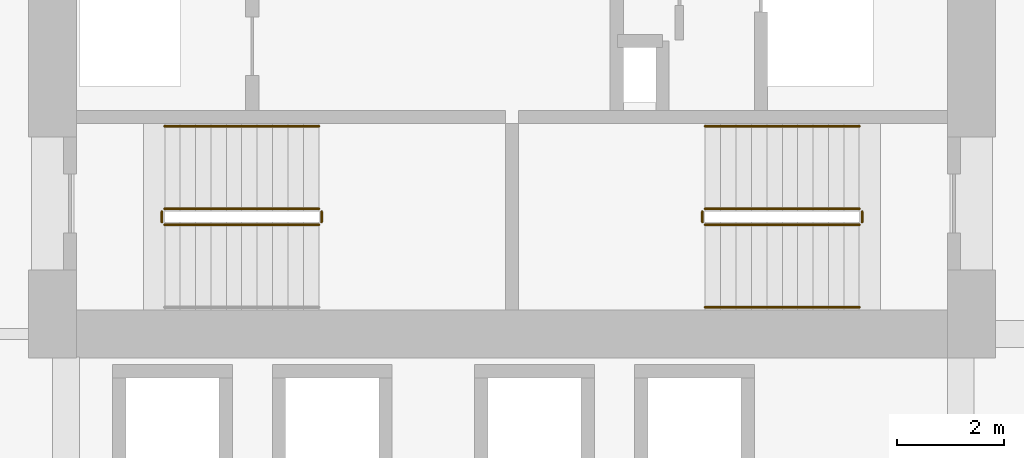
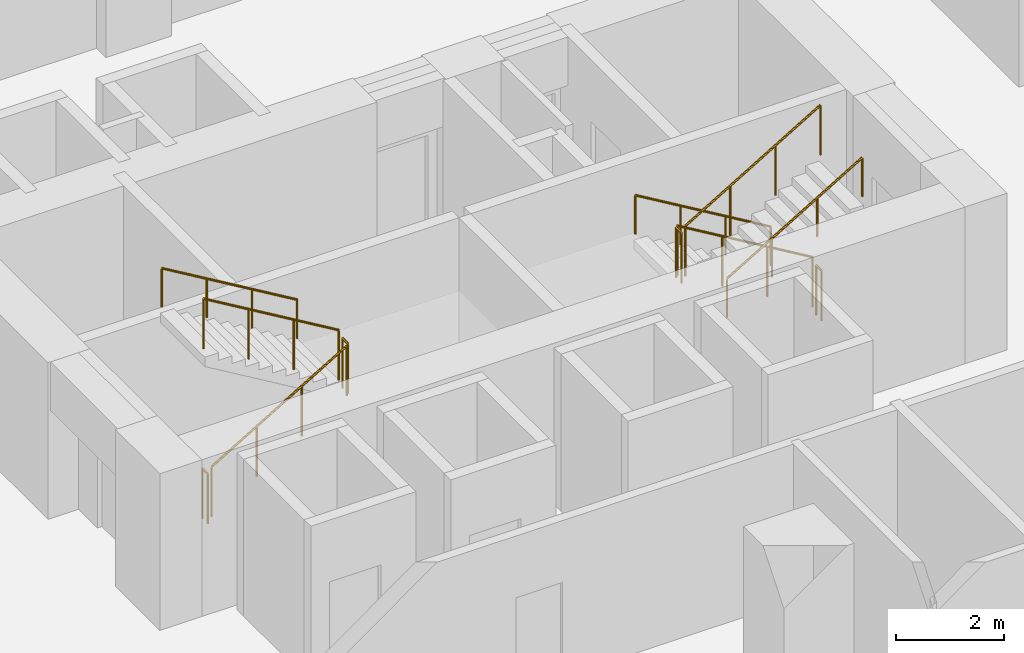
# One storey, part 23 of 27: 11 railings.
"""IFC4 building model written with IfcOpenShell, lengths in metres."""

from ifc_helpers import new_model, si_unit, direction, frame, origin, origin_2d, place, context, subcontext, project, spatial, circle, extrude, material, type_object, element, save


model = new_model("IFC4")

# Units and contexts
model_context = context("Model", 3, precision=1e-05, world=origin(), true_north=direction((0.0, 1.0)))
body_context = subcontext(model_context, "Body", "Model", "MODEL_VIEW")
ifc_project = project(units=[si_unit("LENGTHUNIT", "METRE"), si_unit("AREAUNIT", "SQUARE_METRE"), si_unit("VOLUMEUNIT", "CUBIC_METRE"), si_unit("PLANEANGLEUNIT", "RADIAN"), si_unit("MASSUNIT", "GRAM", prefix="KILO")], contexts=[model_context])

# Site, building, storey
site_placement = place(None, origin())
site = spatial("IfcSite", under=ifc_project, at=site_placement, CompositionType="ELEMENT")
building_placement = place(site_placement, origin())
building = spatial("IfcBuilding", under=site, at=building_placement, Name="Koriwani Terraces Tower", CompositionType="ELEMENT")
storey_placement = place(building_placement, frame((0.0, 0.0, 54.800048828125)))
storey = spatial("IfcBuildingStorey", under=building, at=storey_placement, Name="L12", CompositionType="ELEMENT", Elevation=54.800048828125)

# Railings
ifc_material = material(Name="Steel ASTM A572 Grade 50", Category="steel")
railing_type_1 = type_object("IfcRailingType", Name="GUARD_STAIR_WELL_1120", PredefinedType="GUARDRAIL", material=ifc_material)
railing_1_placement = place(storey_placement, frame((43.85009765625, 18.85009765625, 0.172607421875)))
element("IfcRailing", 1, at=railing_1_placement, inside=storey, type_object=railing_type_1, Name="L12 ST-E1 stair guard 1", PredefinedType="GUARDRAIL", context=body_context, shape_type="SweptSolid", body=[
    extrude(circle(Radius=0.02392578125, at=origin_2d()), frame((0.0, 0.0, 1.1259765625), z_axis=(0.859141464434, 0.0, 0.511738159696), x_axis=(0.0, 1.0, 0.0)), (0.0, 0.0, 1.0), 3.375244140625),
    extrude(circle(Radius=0.02099609375, at=origin_2d()), origin(), (0.0, 0.0, 1.0), 1.101806640625),
    extrude(circle(Radius=0.02099609375, at=origin_2d()), frame((0.966552734375, 0.0, 0.57568359375)), (0.0, 0.0, 1.0), 1.101806640625),
    extrude(circle(Radius=0.02099609375, at=origin_2d()), frame((1.933349609375, 0.0, 1.151611328125)), (0.0, 0.0, 1.0), 1.101806640625),
    extrude(circle(Radius=0.02099609375, at=origin_2d()), frame((2.89990234375, 0.0, 1.727294921875)), (0.0, 0.0, 1.0), 1.101806640625),
])
railing_2_placement = place(storey_placement, frame((46.800048828125, 18.89990234375, 1.89990234375)))
element("IfcRailing", 2, at=railing_2_placement, inside=storey, type_object=railing_type_1, Name="L12 ST-E1 stair guard 2", PredefinedType="GUARDRAIL", context=body_context, shape_type="SweptSolid", body=[
    extrude(circle(Radius=0.02392578125, at=origin_2d()), frame((0.0, 0.0, 1.1259765625), z_axis=(0.0, 1.0, 0.0), x_axis=(-1.0, 0.0, 0.0)), (0.0, 0.0, 1.0), 0.2001953125),
    extrude(circle(Radius=0.02099609375, at=origin_2d()), origin(), (0.0, 0.0, 1.0), 1.101806640625),
    extrude(circle(Radius=0.02099609375, at=origin_2d()), frame((0.0, 0.2001953125, 0.0)), (0.0, 0.0, 1.0), 1.101806640625),
])
railing_3_placement = place(storey_placement, frame((46.75, 19.14990234375, 2.07275390625)))
element("IfcRailing", 3, at=railing_3_placement, inside=storey, type_object=railing_type_1, Name="L12 ST-E1 stair guard 3", PredefinedType="GUARDRAIL", context=body_context, shape_type="SweptSolid", body=[
    extrude(circle(Radius=0.02392578125, at=origin_2d()), frame((0.0, 0.0, 1.1259765625), z_axis=(-0.859141464434, 0.0, 0.511738159696), x_axis=(0.0, -1.0, 0.0)), (0.0, 0.0, 1.0), 3.375244140625),
    extrude(circle(Radius=0.02099609375, at=origin_2d()), origin(), (0.0, 0.0, 1.0), 1.101806640625),
    extrude(circle(Radius=0.02099609375, at=origin_2d()), frame((-0.966552734375, 0.0, 0.57568359375)), (0.0, 0.0, 1.0), 1.101806640625),
    extrude(circle(Radius=0.02099609375, at=origin_2d()), frame((-1.933349609375, 0.0, 1.151611328125)), (0.0, 0.0, 1.0), 1.101806640625),
    extrude(circle(Radius=0.02099609375, at=origin_2d()), frame((-2.89990234375, 0.0, 1.727294921875)), (0.0, 0.0, 1.0), 1.101806640625),
])
railing_4_placement = place(storey_placement, frame((43.800048828125, 18.89990234375, 0.0)))
element("IfcRailing", 4, at=railing_4_placement, inside=storey, type_object=railing_type_1, Name="L12 ST-E1 stair guard 4", PredefinedType="GUARDRAIL", context=body_context, shape_type="SweptSolid", body=[
    extrude(circle(Radius=0.02392578125, at=origin_2d()), frame((0.0, 0.0, 1.1259765625), z_axis=(0.0, 1.0, 0.0), x_axis=(-1.0, 0.0, 0.0)), (0.0, 0.0, 1.0), 0.2001953125),
    extrude(circle(Radius=0.02099609375, at=origin_2d()), origin(), (0.0, 0.0, 1.0), 1.101806640625),
    extrude(circle(Radius=0.02099609375, at=origin_2d()), frame((0.0, 0.2001953125, 0.0)), (0.0, 0.0, 1.0), 1.101806640625),
])
railing_5_placement = place(storey_placement, frame((56.89990234375, 19.14990234375, 0.172607421875)))
element("IfcRailing", 5, at=railing_5_placement, inside=storey, type_object=railing_type_1, Name="L12 ST-E2 stair guard 1", PredefinedType="GUARDRAIL", context=body_context, shape_type="SweptSolid", body=[
    extrude(circle(Radius=0.02392578125, at=origin_2d()), frame((0.0, 0.0, 1.1259765625), z_axis=(-0.859141464434, 0.0, 0.511738159696), x_axis=(0.0, -1.0, 0.0)), (0.0, 0.0, 1.0), 3.375244140625),
    extrude(circle(Radius=0.02099609375, at=origin_2d()), origin(), (0.0, 0.0, 1.0), 1.101806640625),
    extrude(circle(Radius=0.02099609375, at=origin_2d()), frame((-0.966552734375, 0.0, 0.57568359375)), (0.0, 0.0, 1.0), 1.101806640625),
    extrude(circle(Radius=0.02099609375, at=origin_2d()), frame((-1.933349609375, 0.0, 1.151611328125)), (0.0, 0.0, 1.0), 1.101806640625),
    extrude(circle(Radius=0.02099609375, at=origin_2d()), frame((-2.89990234375, 0.0, 1.727294921875)), (0.0, 0.0, 1.0), 1.101806640625),
])
railing_6_placement = place(storey_placement, frame((53.949951171875, 19.10009765625, 1.89990234375)))
element("IfcRailing", 6, at=railing_6_placement, inside=storey, type_object=railing_type_1, Name="L12 ST-E2 stair guard 2", PredefinedType="GUARDRAIL", context=body_context, shape_type="SweptSolid", body=[
    extrude(circle(Radius=0.02392578125, at=origin_2d()), frame((0.0, 0.0, 1.1259765625), z_axis=(0.0, -1.0, 0.0), x_axis=(1.0, 0.0, 0.0)), (0.0, 0.0, 1.0), 0.2001953125),
    extrude(circle(Radius=0.02099609375, at=origin_2d()), origin(), (0.0, 0.0, 1.0), 1.101806640625),
    extrude(circle(Radius=0.02099609375, at=origin_2d()), frame((0.0, -0.2001953125, 0.0)), (0.0, 0.0, 1.0), 1.101806640625),
])
railing_7_placement = place(storey_placement, frame((54.0, 18.85009765625, 2.07275390625)))
element("IfcRailing", 7, at=railing_7_placement, inside=storey, type_object=railing_type_1, Name="L12 ST-E2 stair guard 3", PredefinedType="GUARDRAIL", context=body_context, shape_type="SweptSolid", body=[
    extrude(circle(Radius=0.02392578125, at=origin_2d()), frame((0.0, 0.0, 1.1259765625), z_axis=(0.859141464434, 0.0, 0.511738159696), x_axis=(0.0, 1.0, 0.0)), (0.0, 0.0, 1.0), 3.375244140625),
    extrude(circle(Radius=0.02099609375, at=origin_2d()), origin(), (0.0, 0.0, 1.0), 1.101806640625),
    extrude(circle(Radius=0.02099609375, at=origin_2d()), frame((0.966552734375, 0.0, 0.57568359375)), (0.0, 0.0, 1.0), 1.101806640625),
    extrude(circle(Radius=0.02099609375, at=origin_2d()), frame((1.933349609375, 0.0, 1.151611328125)), (0.0, 0.0, 1.0), 1.101806640625),
    extrude(circle(Radius=0.02099609375, at=origin_2d()), frame((2.89990234375, 0.0, 1.727294921875)), (0.0, 0.0, 1.0), 1.101806640625),
])
railing_8_placement = place(storey_placement, frame((56.949951171875, 19.10009765625, 0.0)))
element("IfcRailing", 8, at=railing_8_placement, inside=storey, type_object=railing_type_1, Name="L12 ST-E2 stair guard 4", PredefinedType="GUARDRAIL", context=body_context, shape_type="SweptSolid", body=[
    extrude(circle(Radius=0.02392578125, at=origin_2d()), frame((0.0, 0.0, 1.1259765625), z_axis=(0.0, -1.0, 0.0), x_axis=(1.0, 0.0, 0.0)), (0.0, 0.0, 1.0), 0.2001953125),
    extrude(circle(Radius=0.02099609375, at=origin_2d()), origin(), (0.0, 0.0, 1.0), 1.101806640625),
    extrude(circle(Radius=0.02099609375, at=origin_2d()), frame((0.0, -0.2001953125, 0.0)), (0.0, 0.0, 1.0), 1.101806640625),
])
railing_type_2 = type_object("IfcRailingType", Name="HANDRAIL_STAIR_920", PredefinedType="HANDRAIL", material=ifc_material)
for number, where, name in (
    (9, (46.75, 20.699951171875, 2.07275390625), "L12 ST-E1 stair handrail 2"),
    (10, (56.89990234375, 20.699951171875, 0.172607421875), "L12 ST-E2 stair handrail 1"),
):
    element("IfcRailing", number, at=place(storey_placement, frame(where)), inside=storey, type_object=railing_type_2, Name=name, PredefinedType="HANDRAIL", context=body_context, shape_type="SweptSolid", body=[
        extrude(circle(Radius=0.02392578125, at=origin_2d()), frame((0.0, 0.0, 0.8759765625), z_axis=(-0.859141464434, 0.0, 0.511738159696), x_axis=(0.0, -1.0, 0.0)), (0.0, 0.0, 1.0), 3.375244140625),
        extrude(circle(Radius=0.02099609375, at=origin_2d()), origin(), (0.0, 0.0, 1.0), 0.851806640625),
        extrude(circle(Radius=0.02099609375, at=origin_2d()), frame((-0.966552734375, 0.0, 0.57568359375)), (0.0, 0.0, 1.0), 0.851806640625),
        extrude(circle(Radius=0.02099609375, at=origin_2d()), frame((-1.933349609375, 0.0, 1.151611328125)), (0.0, 0.0, 1.0), 0.851806640625),
        extrude(circle(Radius=0.02099609375, at=origin_2d()), frame((-2.89990234375, 0.0, 1.727294921875)), (0.0, 0.0, 1.0), 0.851806640625),
    ])
railing_9_placement = place(storey_placement, frame((54.0, 17.300048828125, 2.07275390625)))
element("IfcRailing", 11, at=railing_9_placement, inside=storey, type_object=railing_type_2, Name="L12 ST-E2 stair handrail 2", PredefinedType="HANDRAIL", context=body_context, shape_type="SweptSolid", body=[
    extrude(circle(Radius=0.02392578125, at=origin_2d()), frame((0.0, 0.0, 0.8759765625), z_axis=(0.859141464434, 0.0, 0.511738159696), x_axis=(0.0, 1.0, 0.0)), (0.0, 0.0, 1.0), 3.375244140625),
    extrude(circle(Radius=0.02099609375, at=origin_2d()), origin(), (0.0, 0.0, 1.0), 0.851806640625),
    extrude(circle(Radius=0.02099609375, at=origin_2d()), frame((0.966552734375, 0.0, 0.57568359375)), (0.0, 0.0, 1.0), 0.851806640625),
    extrude(circle(Radius=0.02099609375, at=origin_2d()), frame((1.933349609375, 0.0, 1.151611328125)), (0.0, 0.0, 1.0), 0.851806640625),
    extrude(circle(Radius=0.02099609375, at=origin_2d()), frame((2.89990234375, 0.0, 1.727294921875)), (0.0, 0.0, 1.0), 0.851806640625),
])

save(model, "model.ifc")
